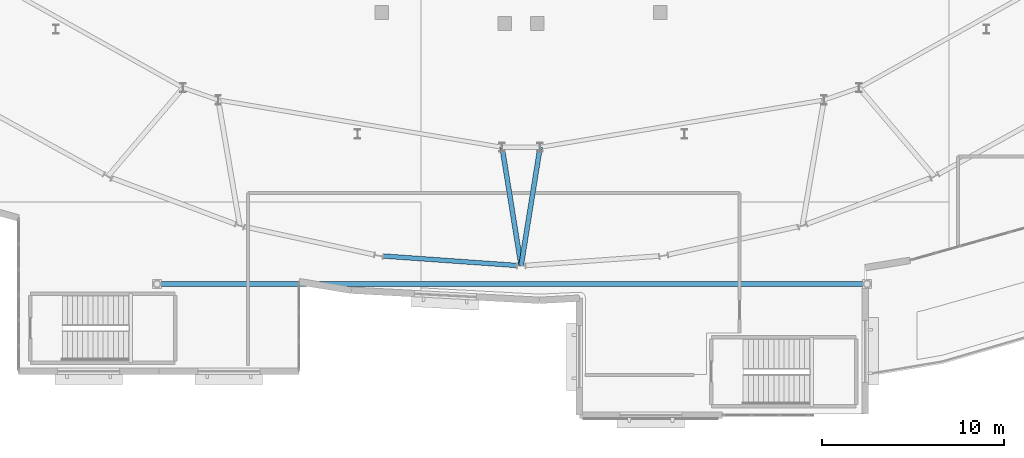
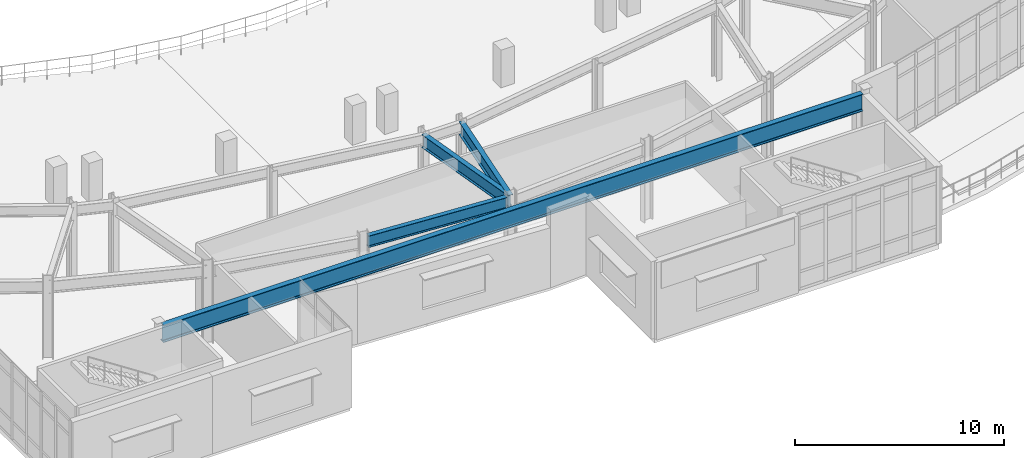
# One storey, part 32 of 84: 4 beams.
"""IFC4 building model written with IfcOpenShell, lengths in metres."""

from ifc_helpers import new_model, si_unit, direction, frame, origin, origin_2d, place, context, subcontext, project, spatial, i_section, extrude, material, material_profile, profile_set, type_object, element, save


model = new_model("IFC4")

# Units and contexts
model_context = context("Model", 3, precision=1e-05, world=origin(), true_north=direction((0.0, 1.0)))
body_context = subcontext(model_context, "Body", "Model", "MODEL_VIEW")
ifc_project = project(units=[si_unit("LENGTHUNIT", "METRE"), si_unit("AREAUNIT", "SQUARE_METRE"), si_unit("VOLUMEUNIT", "CUBIC_METRE"), si_unit("PLANEANGLEUNIT", "RADIAN"), si_unit("MASSUNIT", "GRAM", prefix="KILO")], contexts=[model_context])

# Site, building, storey
site_placement = place(None, origin())
site = spatial("IfcSite", under=ifc_project, at=site_placement, CompositionType="ELEMENT")
building_placement = place(site_placement, origin())
building = spatial("IfcBuilding", under=site, at=building_placement, Name="Glasvene Arena", CompositionType="ELEMENT")
storey_placement = place(building_placement, frame((0.0, 0.0, 10.199951171875)))
storey = spatial("IfcBuildingStorey", under=building, at=storey_placement, Name="L02", CompositionType="ELEMENT", Elevation=10.199951171875)

# Beams
ifc_material = material(Name="Steel S355J2", Category="steel")
ifc_material_profile_1 = material_profile(ifc_material, i_section(OverallWidth=0.300048828125, OverallDepth=1.0, WebThickness=0.0166015625, FlangeThickness=0.031005859375, FilletRadius=0.030029296875, at=origin_2d()), Name="UKB 1016x305x272")
ifc_profile_set_1 = profile_set([ifc_material_profile_1], Name="Steel S355J2")
beam_type_1 = type_object("IfcBeamType", Name="BM-GIRD-1016", PredefinedType="BEAM", material=ifc_profile_set_1)
beam_1_placement = place(storey_placement, frame((72.1982421875, 27.0, 4.02001953125), z_axis=(1.0, 0.0, 0.0), x_axis=(0.0, 1.0, 0.0)))
element("IfcBeam", 1, at=beam_1_placement, inside=storey, type_object=beam_type_1, Name="Primary X girder L02-0803", PredefinedType="BEAM", context=body_context, shape_type="SweptSolid", body=[
    extrude(i_section(OverallWidth=0.300048828125, OverallDepth=1.0, WebThickness=0.0166015625, FlangeThickness=0.031005859375, FilletRadius=0.030029296875, at=origin_2d()), origin(), (0.0, 0.0, 1.0), 38.603515625),
])
ifc_material_profile_2 = material_profile(ifc_material, i_section(OverallWidth=0.253662109375, OverallDepth=0.68359375, WebThickness=0.012451171875, FlangeThickness=0.01904296875, FilletRadius=0.01513671875, at=origin_2d()), Name="UKB 686x254x140")
ifc_profile_set_2 = profile_set([ifc_material_profile_2], Name="Steel S355J2")
beam_type_2 = type_object("IfcBeamType", Name="BM-GIRD-686", PredefinedType="BEAM", material=ifc_profile_set_2)
beam_2_placement = place(storey_placement, frame((84.417724609375, 28.537109375, 4.178466796875), z_axis=(0.997501616337, -0.070643650844, 0.0), x_axis=(0.070643650844, 0.997501616337, 0.0)))
element("IfcBeam", 2, at=beam_2_placement, inside=storey, type_object=beam_type_2, Name="Bowl ring chord beam L02-30", PredefinedType="BEAM", context=body_context, shape_type="SweptSolid", body=[
    extrude(i_section(OverallWidth=0.253662109375, OverallDepth=0.68359375, WebThickness=0.012451171875, FlangeThickness=0.01904296875, FilletRadius=0.01513671875, at=origin_2d()), origin(), (0.0, 0.0, 1.0), 7.361083984375),
])
ifc_material_profile_3 = material_profile(ifc_material, i_section(OverallWidth=0.2666015625, OverallDepth=0.76220703125, WebThickness=0.014404296875, FlangeThickness=0.021484375, FilletRadius=0.0166015625, at=origin_2d()), Name="UKB 762x267x173")
ifc_profile_set_3 = profile_set([ifc_material_profile_3], Name="Steel S355J2")
beam_type_3 = type_object("IfcBeamType", Name="BM-GIRD-762", PredefinedType="BEAM", material=ifc_profile_set_3)
for number, where, z_axis, x_axis, name in (
    (3, (90.956298828125, 34.510009765625, 4.138916015625), (0.158300997848, -0.987390902369, 0.0), (0.987390902369, 0.158300997848, 0.0), "Radial concourse girder L02-24"),
    (4, (93.043701171875, 34.510009765625, 4.138916015625), (-0.158300997848, -0.987390902369, 0.0), (0.987390902369, -0.158300997848, 0.0), "Radial concourse girder L02-25"),
):
    element("IfcBeam", number, at=place(storey_placement, frame(where, z_axis=z_axis, x_axis=x_axis)), inside=storey, type_object=beam_type_3, Name=name, PredefinedType="BEAM", context=body_context, shape_type="SweptSolid", body=[
        extrude(i_section(OverallWidth=0.2666015625, OverallDepth=0.76220703125, WebThickness=0.014404296875, FlangeThickness=0.021484375, FilletRadius=0.0166015625, at=origin_2d()), origin(), (0.0, 0.0, 1.0), 6.59326171875),
    ])

save(model, "model.ifc")
